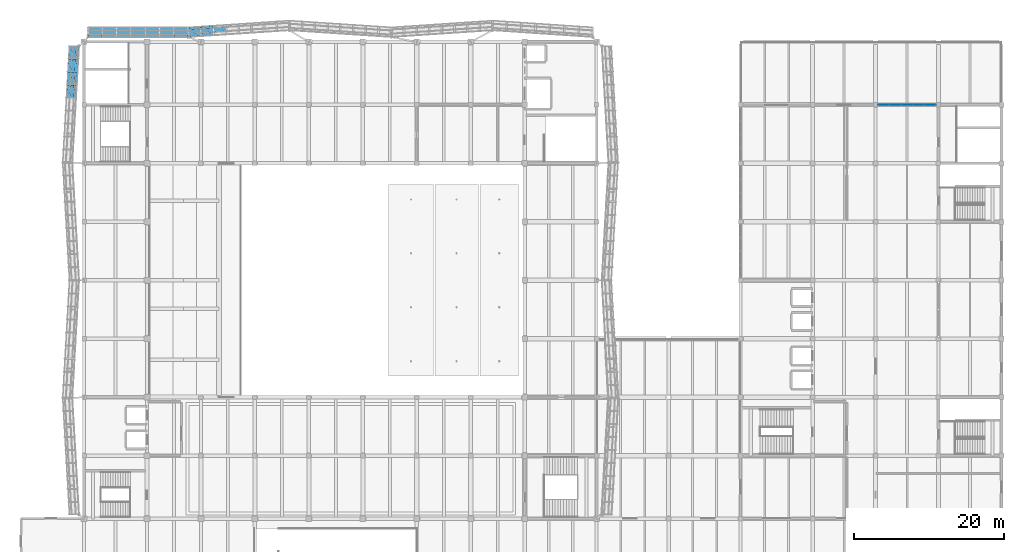
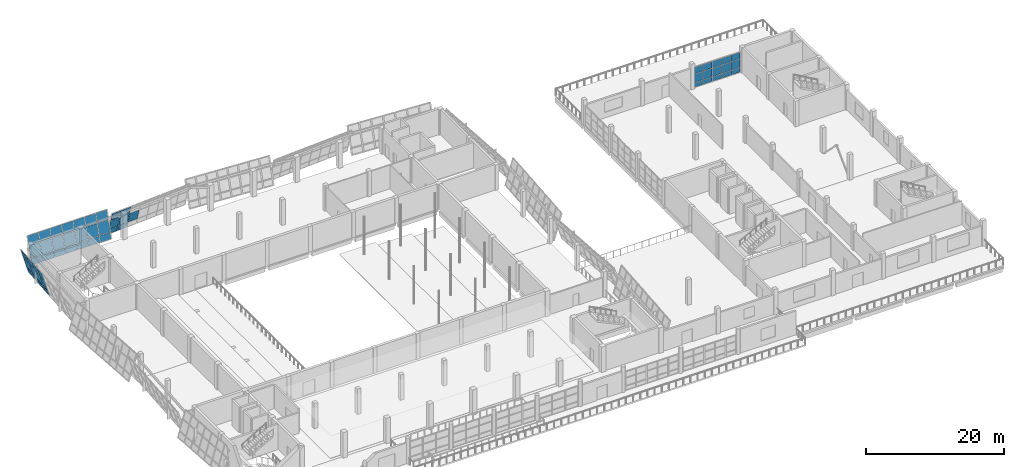
# One storey, part 44 of 71: 55 plates, 4 elements without a shape of their own.
"""IFC4 building model written with IfcOpenShell, lengths in metres."""

from ifc_helpers import new_model, si_unit, direction, frame, origin, place, context, subcontext, project, spatial, polyline, outline, extrude, material, layer, layer_set, type_object, element, aggregate, save


model = new_model("IFC4")

# Units and contexts
model_context = context("Model", 3, precision=1e-05, world=origin(), true_north=direction((0.0, 1.0)))
body_context = subcontext(model_context, "Body", "Model", "MODEL_VIEW")
ifc_project = project(units=[si_unit("LENGTHUNIT", "METRE"), si_unit("AREAUNIT", "SQUARE_METRE"), si_unit("VOLUMEUNIT", "CUBIC_METRE"), si_unit("PLANEANGLEUNIT", "RADIAN"), si_unit("MASSUNIT", "GRAM", prefix="KILO")], contexts=[model_context])

# Site, building, storey
site_placement = place(None, origin())
site = spatial("IfcSite", under=ifc_project, at=site_placement, CompositionType="ELEMENT")
building_placement = place(site_placement, origin())
building = spatial("IfcBuilding", under=site, at=building_placement, Name="Pellamere Symphony Hall", CompositionType="ELEMENT")
storey_placement = place(building_placement, frame((0.0, 0.0, 15.0)))
storey = spatial("IfcBuildingStorey", under=building, at=storey_placement, Name="L03", CompositionType="ELEMENT", Elevation=15.0)

# Curtain wall, plates
ifc_material_1 = material(Name="Thermally Broken Anodised Aluminium 6063-T6 Curtain Wall", Category="aluminium")
curtain_wall_type_1 = type_object("IfcCurtainWallType", Name="Curtain Wall CW-05 (Artists Wing North Studio Ribbon Curtain Wall)", PredefinedType="NOTDEFINED", material=ifc_material_1)
curtain_wall_1_placement = place(storey_placement, origin())
curtain_wall_1 = element("IfcCurtainWall", 1, at=curtain_wall_1_placement, inside=storey, type_object=curtain_wall_type_1, Name="Artists Wing North Studio Curtain Wall (L03 Bay 2)", PredefinedType="NOTDEFINED")
ifc_material_2 = material(Name="Triple Low-E Argon Acoustic Glazing 36mm", Category="glass")
ifc_layer_1 = layer(ifc_material_2, 0.035888671875, Name="Triple Low-E Argon Acoustic Glazing 36mm")
ifc_layer_set_1 = layer_set([ifc_layer_1], Name="Triple Low-E Argon Acoustic Glazing 36mm")
plate_type_1 = type_object("IfcPlateType", Name="Facade Panel GL-01 36mm", PredefinedType="CURTAIN_PANEL", material=ifc_layer_set_1)
plate_1_placement = place(storey_placement, frame((156.360107421875, 85.199951171875, 0.06005859375), z_axis=(0.0, -1.0, 0.0), x_axis=(1.0, 0.0, 0.0)))
plate_1 = element("IfcPlate", 2, at=plate_1_placement, type_object=plate_type_1, Name="CW5-141 crystal glass panel 1.1", PredefinedType="CURTAIN_PANEL", context=body_context, shape_type="SweptSolid", body=[
    extrude(outline(polyline([(0.0, 0.0), (1.469970703125, 0.0), (1.469970703125, 0.783447265625), (0.0, 0.783447265625), (0.0, 0.0)])), origin(), (0.0, 0.0, -1.0), 0.035888671875),
])
plate_2_placement = place(storey_placement, frame((156.360107421875, 85.199951171875, 0.903564453125), z_axis=(0.0, -1.0, 0.0), x_axis=(1.0, 0.0, 0.0)))
plate_2 = element("IfcPlate", 3, at=plate_2_placement, type_object=plate_type_1, Name="CW5-141 crystal glass panel 1.2", PredefinedType="CURTAIN_PANEL", context=body_context, shape_type="SweptSolid", body=[
    extrude(outline(polyline([(0.0, 0.0), (1.469970703125, 0.0), (1.469970703125, 1.46875), (0.0, 1.46875), (0.0, 0.0)])), origin(), (0.0, 0.0, -1.0), 0.035888671875),
])
plate_3_placement = place(storey_placement, frame((156.360107421875, 85.199951171875, 2.432373046875), z_axis=(0.0, -1.0, 0.0), x_axis=(1.0, 0.0, 0.0)))
plate_3 = element("IfcPlate", 4, at=plate_3_placement, type_object=plate_type_1, Name="CW5-141 crystal glass panel 1.3", PredefinedType="CURTAIN_PANEL", context=body_context, shape_type="SweptSolid", body=[
    extrude(outline(polyline([(0.0, 0.0), (1.469970703125, 0.0), (1.469970703125, 1.147705078125), (0.0, 1.147705078125), (0.0, 0.0)])), origin(), (0.0, 0.0, -1.0), 0.035888671875),
])
plate_4_placement = place(storey_placement, frame((157.889892578125, 85.199951171875, 0.06005859375), z_axis=(0.0, -1.0, 0.0), x_axis=(1.0, 0.0, 0.0)))
plate_4 = element("IfcPlate", 5, at=plate_4_placement, type_object=plate_type_1, Name="CW5-141 crystal glass panel 2.1", PredefinedType="CURTAIN_PANEL", context=body_context, shape_type="SweptSolid", body=[
    extrude(outline(polyline([(0.0, 0.0), (1.5, 0.0), (1.5, 0.783447265625), (0.0, 0.783447265625), (0.0, 0.0)])), origin(), (0.0, 0.0, -1.0), 0.035888671875),
])
plate_5_placement = place(storey_placement, frame((157.889892578125, 85.199951171875, 0.903564453125), z_axis=(0.0, -1.0, 0.0), x_axis=(1.0, 0.0, 0.0)))
plate_5 = element("IfcPlate", 6, at=plate_5_placement, type_object=plate_type_1, Name="CW5-141 crystal glass panel 2.2", PredefinedType="CURTAIN_PANEL", context=body_context, shape_type="SweptSolid", body=[
    extrude(outline(polyline([(0.0, 0.0), (1.5, 0.0), (1.5, 1.46875), (0.0, 1.46875), (0.0, 0.0)])), origin(), (0.0, 0.0, -1.0), 0.035888671875),
])
plate_6_placement = place(storey_placement, frame((157.889892578125, 85.199951171875, 2.432373046875), z_axis=(0.0, -1.0, 0.0), x_axis=(1.0, 0.0, 0.0)))
plate_6 = element("IfcPlate", 7, at=plate_6_placement, type_object=plate_type_1, Name="CW5-141 crystal glass panel 2.3", PredefinedType="CURTAIN_PANEL", context=body_context, shape_type="SweptSolid", body=[
    extrude(outline(polyline([(0.0, 0.0), (1.5, 0.0), (1.5, 1.147705078125), (0.0, 1.147705078125), (0.0, 0.0)])), origin(), (0.0, 0.0, -1.0), 0.035888671875),
])
plate_7_placement = place(storey_placement, frame((159.449951171875, 85.199951171875, 0.06005859375), z_axis=(0.0, -1.0, 0.0), x_axis=(1.0, 0.0, 0.0)))
plate_7 = element("IfcPlate", 8, at=plate_7_placement, type_object=plate_type_1, Name="CW5-141 crystal glass panel 3.1", PredefinedType="CURTAIN_PANEL", context=body_context, shape_type="SweptSolid", body=[
    extrude(outline(polyline([(0.0, 0.0), (1.5, 0.0), (1.5, 0.783447265625), (0.0, 0.783447265625), (0.0, 0.0)])), origin(), (0.0, 0.0, -1.0), 0.035888671875),
])
plate_8_placement = place(storey_placement, frame((159.449951171875, 85.199951171875, 0.903564453125), z_axis=(0.0, -1.0, 0.0), x_axis=(1.0, 0.0, 0.0)))
plate_8 = element("IfcPlate", 9, at=plate_8_placement, type_object=plate_type_1, Name="CW5-141 crystal glass panel 3.2", PredefinedType="CURTAIN_PANEL", context=body_context, shape_type="SweptSolid", body=[
    extrude(outline(polyline([(0.0, 0.0), (1.5, 0.0), (1.5, 1.46875), (0.0, 1.46875), (0.0, 0.0)])), origin(), (0.0, 0.0, -1.0), 0.035888671875),
])
plate_9_placement = place(storey_placement, frame((159.449951171875, 85.199951171875, 2.432373046875), z_axis=(0.0, -1.0, 0.0), x_axis=(1.0, 0.0, 0.0)))
plate_9 = element("IfcPlate", 10, at=plate_9_placement, type_object=plate_type_1, Name="CW5-141 crystal glass panel 3.3", PredefinedType="CURTAIN_PANEL", context=body_context, shape_type="SweptSolid", body=[
    extrude(outline(polyline([(0.0, 0.0), (1.5, 0.0), (1.5, 1.147705078125), (0.0, 1.147705078125), (0.0, 0.0)])), origin(), (0.0, 0.0, -1.0), 0.035888671875),
])
plate_10_placement = place(storey_placement, frame((161.010009765625, 85.199951171875, 0.06005859375), z_axis=(0.0, -1.0, 0.0), x_axis=(1.0, 0.0, 0.0)))
plate_10 = element("IfcPlate", 11, at=plate_10_placement, type_object=plate_type_1, Name="CW5-141 crystal glass panel 4.1", PredefinedType="CURTAIN_PANEL", context=body_context, shape_type="SweptSolid", body=[
    extrude(outline(polyline([(0.0, 0.0), (1.5, 0.0), (1.5, 0.783447265625), (0.0, 0.783447265625), (0.0, 0.0)])), origin(), (0.0, 0.0, -1.0), 0.035888671875),
])
plate_11_placement = place(storey_placement, frame((161.010009765625, 85.199951171875, 0.903564453125), z_axis=(0.0, -1.0, 0.0), x_axis=(1.0, 0.0, 0.0)))
plate_11 = element("IfcPlate", 12, at=plate_11_placement, type_object=plate_type_1, Name="CW5-141 crystal glass panel 4.2", PredefinedType="CURTAIN_PANEL", context=body_context, shape_type="SweptSolid", body=[
    extrude(outline(polyline([(0.0, 0.0), (1.5, 0.0), (1.5, 1.46875), (0.0, 1.46875), (0.0, 0.0)])), origin(), (0.0, 0.0, -1.0), 0.035888671875),
])
plate_12_placement = place(storey_placement, frame((161.010009765625, 85.199951171875, 2.432373046875), z_axis=(0.0, -1.0, 0.0), x_axis=(1.0, 0.0, 0.0)))
plate_12 = element("IfcPlate", 13, at=plate_12_placement, type_object=plate_type_1, Name="CW5-141 crystal glass panel 4.3", PredefinedType="CURTAIN_PANEL", context=body_context, shape_type="SweptSolid", body=[
    extrude(outline(polyline([(0.0, 0.0), (1.5, 0.0), (1.5, 1.147705078125), (0.0, 1.147705078125), (0.0, 0.0)])), origin(), (0.0, 0.0, -1.0), 0.035888671875),
])
plate_13_placement = place(storey_placement, frame((162.570068359375, 85.199951171875, 0.06005859375), z_axis=(0.0, -1.0, 0.0), x_axis=(1.0, 0.0, 0.0)))
plate_13 = element("IfcPlate", 14, at=plate_13_placement, type_object=plate_type_1, Name="CW5-141 crystal glass panel 5.1", PredefinedType="CURTAIN_PANEL", context=body_context, shape_type="SweptSolid", body=[
    extrude(outline(polyline([(0.0, 0.0), (1.469970703125, 0.0), (1.469970703125, 0.783447265625), (0.0, 0.783447265625), (0.0, 0.0)])), origin(), (0.0, 0.0, -1.0), 0.035888671875),
])
plate_14_placement = place(storey_placement, frame((162.570068359375, 85.199951171875, 0.903564453125), z_axis=(0.0, -1.0, 0.0), x_axis=(1.0, 0.0, 0.0)))
plate_14 = element("IfcPlate", 15, at=plate_14_placement, type_object=plate_type_1, Name="CW5-141 crystal glass panel 5.2", PredefinedType="CURTAIN_PANEL", context=body_context, shape_type="SweptSolid", body=[
    extrude(outline(polyline([(0.0, 0.0), (1.469970703125, 0.0), (1.469970703125, 1.46875), (0.0, 1.46875), (0.0, 0.0)])), origin(), (0.0, 0.0, -1.0), 0.035888671875),
])
plate_15_placement = place(storey_placement, frame((162.570068359375, 85.199951171875, 2.432373046875), z_axis=(0.0, -1.0, 0.0), x_axis=(1.0, 0.0, 0.0)))
plate_15 = element("IfcPlate", 16, at=plate_15_placement, type_object=plate_type_1, Name="CW5-141 crystal glass panel 5.3", PredefinedType="CURTAIN_PANEL", context=body_context, shape_type="SweptSolid", body=[
    extrude(outline(polyline([(0.0, 0.0), (1.469970703125, 0.0), (1.469970703125, 1.147705078125), (0.0, 1.147705078125), (0.0, 0.0)])), origin(), (0.0, 0.0, -1.0), 0.035888671875),
])
aggregate(curtain_wall_1, [plate_1, plate_2, plate_3, plate_4, plate_5, plate_6, plate_7, plate_8, plate_9, plate_10, plate_11, plate_12, plate_13, plate_14, plate_15])

curtain_wall_type_2 = type_object("IfcCurtainWallType", Name="Curtain Wall CW-01 (Tilted Faceted Crystal Low-Iron Curtain Wall)", PredefinedType="NOTDEFINED", material=ifc_material_1)
curtain_wall_2_placement = place(storey_placement, origin())
curtain_wall_2 = element("IfcCurtainWall", 17, at=curtain_wall_2_placement, inside=storey, type_object=curtain_wall_type_2, Name="Crystal Faceted Curtain Wall CW-CR13 (L03)", PredefinedType="NOTDEFINED")
ifc_material_3 = material(Name="Triple Laminated Acoustic Crystal Glazing 42mm", Category="glass")
ifc_layer_2 = layer(ifc_material_3, 0.0419921875, Name="Triple Laminated Acoustic Crystal Glazing 42mm")
ifc_layer_set_2 = layer_set([ifc_layer_2], Name="Triple Laminated Acoustic Crystal Glazing 42mm")
plate_type_2 = type_object("IfcPlateType", Name="Facade Panel GL-02 42mm", PredefinedType="CURTAIN_PANEL", material=ifc_layer_set_2)
plate_16_placement = place(storey_placement, frame((69.3251953125, 95.58740234375, 1.115966796875), z_axis=(-0.063733193807, 0.956866996113, 0.283449522415), x_axis=(-0.997789166031, -0.066458860589, 0.0)))
plate_16 = element("IfcPlate", 18, at=plate_16_placement, type_object=plate_type_2, Name="CW1-032 crystal glass panel 6.2", PredefinedType="CURTAIN_PANEL", context=body_context, shape_type="SweptSolid", body=[
    extrude(outline(polyline([(0.0, 0.0), (1.616366486684859, 0.0), (1.6521595156058213, 1.8958702628738333), (0.035793028920962165, 1.8958702628738333), (0.0, 0.0)])), origin(), (0.0, 0.0, -1.0), 0.0419921875),
])
plate_17_placement = place(storey_placement, frame((67.6376953125, 95.7841796875, 0.072021484375), z_axis=(-0.063804359707, 0.956848127642, 0.283497203354), x_axis=(-0.997784557971, -0.06652800504, -2.0486228e-05)))
plate_17 = element("IfcPlate", 19, at=plate_17_placement, type_object=plate_type_2, Name="CW1-032 crystal glass panel 7.1", PredefinedType="CURTAIN_PANEL", context=body_context, shape_type="SweptSolid", body=[
    extrude(outline(polyline([(0.0, 0.0), (1.6163664824646273, 3.469446951953614e-18), (1.6355123541131644, 1.013539765879141), (0.019129629459806567, 1.0134707057134071), (0.0, 0.0)])), origin(), (0.0, 0.0, -1.0), 0.0419921875),
])
plate_18_placement = place(storey_placement, frame((67.6376953125, 95.474853515625, 1.115966796875), z_axis=(-0.063733193807, 0.956866996113, 0.283449522415), x_axis=(-0.997789166031, -0.066458860589, 0.0)))
plate_18 = element("IfcPlate", 20, at=plate_18_placement, type_object=plate_type_2, Name="CW1-032 crystal glass panel 7.2", PredefinedType="CURTAIN_PANEL", context=body_context, shape_type="SweptSolid", body=[
    extrude(outline(polyline([(0.0, 0.0), (1.616366486684859, 0.0), (1.6521595156058213, 1.8958702628738333), (0.035793028920962165, 1.8958702628738333), (0.0, 0.0)])), origin(), (0.0, 0.0, -1.0), 0.0419921875),
])
plate_19_placement = place(storey_placement, frame((67.6376953125, 94.9150390625, 3.005859375), z_axis=(-0.063805383649, 0.956863483281, 0.283445139983), x_axis=(-0.997784557823, -0.06652800726, -2.0482795e-05)))
plate_19 = element("IfcPlate", 21, at=plate_19_placement, type_object=plate_type_2, Name="CW1-032 crystal glass panel 7.3", PredefinedType="CURTAIN_PANEL", context=body_context, shape_type="SweptSolid", body=[
    extrude(outline(polyline([(0.0, 0.0), (1.6163664824644917, 0.0), (1.6443713721739868, 1.4829717898125772), (0.027988647520222894, 1.482902742329526), (0.0, 0.0)])), origin(), (0.0, 0.0, -1.0), 0.0419921875),
])
plate_20_placement = place(storey_placement, frame((65.9501953125, 95.671630859375, 0.072021484375), z_axis=(-0.063762570737, 0.956883416201, 0.283387477443), x_axis=(-0.99778720991, -0.066488222573, 0.0)))
plate_20 = element("IfcPlate", 22, at=plate_20_placement, type_object=plate_type_2, Name="CW1-032 crystal glass panel 8.1", PredefinedType="CURTAIN_PANEL", context=body_context, shape_type="SweptSolid", body=[
    extrude(outline(polyline([(0.0, 0.0), (1.578933301087088, 0.0), (1.598071390543416, 1.0134705527233365), (0.01913808945632789, 1.0134705527233365), (0.0, 0.0)])), origin(), (0.0, 0.0, -1.0), 0.0419921875),
])
plate_21_placement = place(storey_placement, frame((65.9501953125, 95.362548828125, 1.115966796875), z_axis=(-0.063909038912, 0.95685621369, 0.283446328374), x_axis=(-0.997776940229, -0.066642160428, 0.0)))
plate_21 = element("IfcPlate", 23, at=plate_21_placement, type_object=plate_type_2, Name="CW1-032 crystal glass panel 8.2", PredefinedType="CURTAIN_PANEL", context=body_context, shape_type="SweptSolid", body=[
    extrude(outline(polyline([(0.0, 0.0), (1.5789495523546406, -3.469446951953614e-18), (1.6148413018427117, 1.8958683965105065), (0.035891749488070966, 1.8958683965105065), (0.0, 0.0)])), origin(), (0.0, 0.0, -1.0), 0.0419921875),
])
plate_22_placement = place(storey_placement, frame((65.9501953125, 94.802490234375, 3.005859375), z_axis=(-0.063762906258, 0.95688845135, 0.283370399756), x_axis=(-0.99778720991, -0.066488222573, 0.0)))
plate_22 = element("IfcPlate", 24, at=plate_22_placement, type_object=plate_type_2, Name="CW1-032 crystal glass panel 8.3", PredefinedType="CURTAIN_PANEL", context=body_context, shape_type="SweptSolid", body=[
    extrude(outline(polyline([(0.0, 0.0), (1.578933301087088, 0.0), (1.6069343225562702, 1.4829025133293297), (0.028001021469182028, 1.4829025133293297), (0.0, 0.0)])), origin(), (0.0, 0.0, -1.0), 0.0419921875),
])
aggregate(curtain_wall_2, [plate_16, plate_17, plate_18, plate_19, plate_20, plate_21, plate_22])

curtain_wall_3_placement = place(storey_placement, origin())
curtain_wall_3 = element("IfcCurtainWall", 25, at=curtain_wall_3_placement, inside=storey, type_object=curtain_wall_type_2, Name="Crystal Faceted Curtain Wall CW-CR14 (L03)", PredefinedType="NOTDEFINED")
plate_23_placement = place(storey_placement, frame((64.22509765625, 94.271240234375, 0.072021484375), z_axis=(0.0, -0.958768952204, 0.284186727857), x_axis=(-1.0, 0.0, 0.0)))
plate_23 = element("IfcPlate", 26, at=plate_23_placement, type_object=plate_type_2, Name="CW1-035 crystal glass panel 1.1", PredefinedType="CURTAIN_PANEL", context=body_context, shape_type="SweptSolid", body=[
    extrude(outline(polyline([(0.0, 0.0), (1.802001953125, 0.0), (1.802001953125, -1.0137205902330328), (0.0, -1.0137205902330328), (0.0, 0.0)])), origin(), (0.0, 0.0, -1.0), 0.0419921875),
])
plate_24_placement = place(storey_placement, frame((64.22509765625, 94.58056640625, 1.115966796875), z_axis=(0.0, -0.95881629514, 0.284026956772), x_axis=(-1.0, 0.0, 0.0)))
plate_24 = element("IfcPlate", 27, at=plate_24_placement, type_object=plate_type_2, Name="CW1-035 crystal glass panel 1.2", PredefinedType="CURTAIN_PANEL", context=body_context, shape_type="SweptSolid", body=[
    extrude(outline(polyline([(0.0, 0.0), (1.802001953125, 0.0), (1.802001953125, -1.8962081095092473), (0.0, -1.8962081095092473), (0.0, 0.0)])), origin(), (0.0, 0.0, -1.0), 0.0419921875),
])
plate_25_placement = place(storey_placement, frame((64.22509765625, 95.140380859375, 3.005859375), z_axis=(0.0, -0.958794791584, 0.284099538245), x_axis=(-1.0, 0.0, 0.0)))
plate_25 = element("IfcPlate", 28, at=plate_25_placement, type_object=plate_type_2, Name="CW1-035 crystal glass panel 1.3", PredefinedType="CURTAIN_PANEL", context=body_context, shape_type="SweptSolid", body=[
    extrude(outline(polyline([(0.0, 0.0), (1.802001953125, 0.0), (1.802001953125, -1.4832361972628905), (0.0, -1.4832361972628905), (0.0, 0.0)])), origin(), (0.0, 0.0, -1.0), 0.0419921875),
])
plate_26_placement = place(storey_placement, frame((62.34814453125, 94.271240234375, 0.072021484375), z_axis=(0.0, -0.958768952204, 0.284186727857), x_axis=(-1.0, 0.0, 0.0)))
plate_26 = element("IfcPlate", 29, at=plate_26_placement, type_object=plate_type_2, Name="CW1-035 crystal glass panel 2.1", PredefinedType="CURTAIN_PANEL", context=body_context, shape_type="SweptSolid", body=[
    extrude(outline(polyline([(0.0, 0.0), (1.839111328125, 0.0), (1.839111328125, -1.0137205902330328), (0.0, -1.0137205902330328), (0.0, 0.0)])), origin(), (0.0, 0.0, -1.0), 0.0419921875),
])
plate_27_placement = place(storey_placement, frame((62.34814453125, 94.58056640625, 1.115966796875), z_axis=(0.0, -0.95881629514, 0.284026956772), x_axis=(-1.0, 0.0, 0.0)))
plate_27 = element("IfcPlate", 30, at=plate_27_placement, type_object=plate_type_2, Name="CW1-035 crystal glass panel 2.2", PredefinedType="CURTAIN_PANEL", context=body_context, shape_type="SweptSolid", body=[
    extrude(outline(polyline([(0.0, 0.0), (1.839111328125, 0.0), (1.839111328125, -1.8962081095092476), (0.0, -1.8962081095092476), (0.0, 0.0)])), origin(), (0.0, 0.0, -1.0), 0.0419921875),
])
plate_28_placement = place(storey_placement, frame((62.34814453125, 95.140380859375, 3.005859375), z_axis=(0.0, -0.958794791584, 0.284099538245), x_axis=(-1.0, 0.0, 0.0)))
plate_28 = element("IfcPlate", 31, at=plate_28_placement, type_object=plate_type_2, Name="CW1-035 crystal glass panel 2.3", PredefinedType="CURTAIN_PANEL", context=body_context, shape_type="SweptSolid", body=[
    extrude(outline(polyline([(0.0, 0.0), (1.839111328125, 0.0), (1.839111328125, -1.4832361972628905), (0.0, -1.4832361972628905), (0.0, 0.0)])), origin(), (0.0, 0.0, -1.0), 0.0419921875),
])
plate_29_placement = place(storey_placement, frame((60.433837890625, 94.271240234375, 0.072021484375), z_axis=(0.0, -0.958768952204, 0.284186727857), x_axis=(-1.0, 0.0, 0.0)))
plate_29 = element("IfcPlate", 32, at=plate_29_placement, type_object=plate_type_2, Name="CW1-035 crystal glass panel 3.1", PredefinedType="CURTAIN_PANEL", context=body_context, shape_type="SweptSolid", body=[
    extrude(outline(polyline([(0.0, 0.0), (1.839111328125, 0.0), (1.839111328125, -1.0137205902330328), (0.0, -1.0137205902330328), (0.0, 0.0)])), origin(), (0.0, 0.0, -1.0), 0.0419921875),
])
plate_30_placement = place(storey_placement, frame((60.433837890625, 94.58056640625, 1.115966796875), z_axis=(0.0, -0.95881629514, 0.284026956772), x_axis=(-1.0, 0.0, 0.0)))
plate_30 = element("IfcPlate", 33, at=plate_30_placement, type_object=plate_type_2, Name="CW1-035 crystal glass panel 3.2", PredefinedType="CURTAIN_PANEL", context=body_context, shape_type="SweptSolid", body=[
    extrude(outline(polyline([(0.0, 0.0), (1.839111328125, 0.0), (1.839111328125, -1.8962081095092476), (0.0, -1.8962081095092476), (0.0, 0.0)])), origin(), (0.0, 0.0, -1.0), 0.0419921875),
])
plate_31_placement = place(storey_placement, frame((60.433837890625, 95.140380859375, 3.005859375), z_axis=(0.0, -0.958794791584, 0.284099538245), x_axis=(-1.0, 0.0, 0.0)))
plate_31 = element("IfcPlate", 34, at=plate_31_placement, type_object=plate_type_2, Name="CW1-035 crystal glass panel 3.3", PredefinedType="CURTAIN_PANEL", context=body_context, shape_type="SweptSolid", body=[
    extrude(outline(polyline([(0.0, 0.0), (1.839111328125, 0.0), (1.839111328125, -1.4832361972628905), (0.0, -1.4832361972628905), (0.0, 0.0)])), origin(), (0.0, 0.0, -1.0), 0.0419921875),
])
plate_32_placement = place(storey_placement, frame((58.51953125, 94.271240234375, 0.072021484375), z_axis=(0.0, -0.958768952204, 0.284186727857), x_axis=(-1.0, 0.0, 0.0)))
plate_32 = element("IfcPlate", 35, at=plate_32_placement, type_object=plate_type_2, Name="CW1-035 crystal glass panel 4.1", PredefinedType="CURTAIN_PANEL", context=body_context, shape_type="SweptSolid", body=[
    extrude(outline(polyline([(0.0, 0.0), (1.839111328125, 0.0), (1.839111328125, -1.0137205902330328), (0.0, -1.0137205902330328), (0.0, 0.0)])), origin(), (0.0, 0.0, -1.0), 0.0419921875),
])
plate_33_placement = place(storey_placement, frame((58.51953125, 94.58056640625, 1.115966796875), z_axis=(0.0, -0.95881629514, 0.284026956772), x_axis=(-1.0, 0.0, 0.0)))
plate_33 = element("IfcPlate", 36, at=plate_33_placement, type_object=plate_type_2, Name="CW1-035 crystal glass panel 4.2", PredefinedType="CURTAIN_PANEL", context=body_context, shape_type="SweptSolid", body=[
    extrude(outline(polyline([(0.0, 0.0), (1.839111328125, 0.0), (1.839111328125, -1.8962081095092476), (0.0, -1.8962081095092476), (0.0, 0.0)])), origin(), (0.0, 0.0, -1.0), 0.0419921875),
])
plate_34_placement = place(storey_placement, frame((58.51953125, 95.140380859375, 3.005859375), z_axis=(0.0, -0.958794791584, 0.284099538245), x_axis=(-1.0, 0.0, 0.0)))
plate_34 = element("IfcPlate", 37, at=plate_34_placement, type_object=plate_type_2, Name="CW1-035 crystal glass panel 4.3", PredefinedType="CURTAIN_PANEL", context=body_context, shape_type="SweptSolid", body=[
    extrude(outline(polyline([(0.0, 0.0), (1.839111328125, 0.0), (1.839111328125, -1.4832361972628905), (0.0, -1.4832361972628905), (0.0, 0.0)])), origin(), (0.0, 0.0, -1.0), 0.0419921875),
])
plate_35_placement = place(storey_placement, frame((56.60546875, 94.271240234375, 0.072021484375), z_axis=(0.0, -0.958768952204, 0.284186727857), x_axis=(-1.0, 0.0, 0.0)))
plate_35 = element("IfcPlate", 38, at=plate_35_placement, type_object=plate_type_2, Name="CW1-035 crystal glass panel 5.1", PredefinedType="CURTAIN_PANEL", context=body_context, shape_type="SweptSolid", body=[
    extrude(outline(polyline([(0.0, 0.0), (1.83935546875, 0.0), (1.83935546875, -1.0137205902330328), (0.0, -1.0137205902330328), (0.0, 0.0)])), origin(), (0.0, 0.0, -1.0), 0.0419921875),
])
plate_36_placement = place(storey_placement, frame((56.60546875, 94.58056640625, 1.115966796875), z_axis=(0.0, -0.95881629514, 0.284026956772), x_axis=(-1.0, 0.0, 0.0)))
plate_36 = element("IfcPlate", 39, at=plate_36_placement, type_object=plate_type_2, Name="CW1-035 crystal glass panel 5.2", PredefinedType="CURTAIN_PANEL", context=body_context, shape_type="SweptSolid", body=[
    extrude(outline(polyline([(0.0, 0.0), (1.83935546875, 0.0), (1.83935546875, -1.8962081095092473), (0.0, -1.8962081095092473), (0.0, 0.0)])), origin(), (0.0, 0.0, -1.0), 0.0419921875),
])
plate_37_placement = place(storey_placement, frame((56.60546875, 95.140380859375, 3.005859375), z_axis=(0.0, -0.958794791584, 0.284099538245), x_axis=(-1.0, 0.0, 0.0)))
plate_37 = element("IfcPlate", 40, at=plate_37_placement, type_object=plate_type_2, Name="CW1-035 crystal glass panel 5.3", PredefinedType="CURTAIN_PANEL", context=body_context, shape_type="SweptSolid", body=[
    extrude(outline(polyline([(0.0, 0.0), (1.83935546875, 0.0), (1.83935546875, -1.4832361972628905), (0.0, -1.4832361972628905), (0.0, 0.0)])), origin(), (0.0, 0.0, -1.0), 0.0419921875),
])
plate_38_placement = place(storey_placement, frame((54.691162109375, 94.271240234375, 0.072021484375), z_axis=(0.0, -0.958768952204, 0.284186727857), x_axis=(-1.0, 0.0, 0.0)))
plate_38 = element("IfcPlate", 41, at=plate_38_placement, type_object=plate_type_2, Name="CW1-035 crystal glass panel 6.1", PredefinedType="CURTAIN_PANEL", context=body_context, shape_type="SweptSolid", body=[
    extrude(outline(polyline([(0.0, 0.0), (1.83935546875, 0.0), (1.83935546875, -1.0137205902330328), (0.0, -1.0137205902330328), (0.0, 0.0)])), origin(), (0.0, 0.0, -1.0), 0.0419921875),
])
plate_39_placement = place(storey_placement, frame((54.691162109375, 94.58056640625, 1.115966796875), z_axis=(0.0, -0.95881629514, 0.284026956772), x_axis=(-1.0, 0.0, 0.0)))
plate_39 = element("IfcPlate", 42, at=plate_39_placement, type_object=plate_type_2, Name="CW1-035 crystal glass panel 6.2", PredefinedType="CURTAIN_PANEL", context=body_context, shape_type="SweptSolid", body=[
    extrude(outline(polyline([(0.0, 0.0), (1.83935546875, 0.0), (1.83935546875, -1.8962081095092473), (0.0, -1.8962081095092473), (0.0, 0.0)])), origin(), (0.0, 0.0, -1.0), 0.0419921875),
])
plate_40_placement = place(storey_placement, frame((54.691162109375, 95.140380859375, 3.005859375), z_axis=(0.0, -0.958794791584, 0.284099538245), x_axis=(-1.0, 0.0, 0.0)))
plate_40 = element("IfcPlate", 43, at=plate_40_placement, type_object=plate_type_2, Name="CW1-035 crystal glass panel 6.3", PredefinedType="CURTAIN_PANEL", context=body_context, shape_type="SweptSolid", body=[
    extrude(outline(polyline([(0.0, 0.0), (1.83935546875, 0.0), (1.83935546875, -1.4832361972628905), (0.0, -1.4832361972628905), (0.0, 0.0)])), origin(), (0.0, 0.0, -1.0), 0.0419921875),
])
plate_41_placement = place(storey_placement, frame((52.77685546875, 94.271240234375, 0.072021484375), z_axis=(0.0, -0.958768952204, 0.284186727857), x_axis=(-1.0, 0.0, 0.0)))
plate_41 = element("IfcPlate", 44, at=plate_41_placement, type_object=plate_type_2, Name="CW1-035 crystal glass panel 7.1", PredefinedType="CURTAIN_PANEL", context=body_context, shape_type="SweptSolid", body=[
    extrude(outline(polyline([(0.0, 0.0), (1.8017578125, 0.0), (1.8017578125, -1.0137205902330328), (0.0, -1.0137205902330328), (0.0, 0.0)])), origin(), (0.0, 0.0, -1.0), 0.0419921875),
])
plate_42_placement = place(storey_placement, frame((52.77685546875, 94.58056640625, 1.115966796875), z_axis=(0.0, -0.95881629514, 0.284026956772), x_axis=(-1.0, 0.0, 0.0)))
plate_42 = element("IfcPlate", 45, at=plate_42_placement, type_object=plate_type_2, Name="CW1-035 crystal glass panel 7.2", PredefinedType="CURTAIN_PANEL", context=body_context, shape_type="SweptSolid", body=[
    extrude(outline(polyline([(0.0, 0.0), (1.8017578125, 0.0), (1.8017578125, -1.8962081095092473), (0.0, -1.8962081095092473), (0.0, 0.0)])), origin(), (0.0, 0.0, -1.0), 0.0419921875),
])
plate_43_placement = place(storey_placement, frame((52.77685546875, 95.140380859375, 3.005859375), z_axis=(0.0, -0.958794791584, 0.284099538245), x_axis=(-1.0, 0.0, 0.0)))
plate_43 = element("IfcPlate", 46, at=plate_43_placement, type_object=plate_type_2, Name="CW1-035 crystal glass panel 7.3", PredefinedType="CURTAIN_PANEL", context=body_context, shape_type="SweptSolid", body=[
    extrude(outline(polyline([(0.0, 0.0), (1.8017578125, 0.0), (1.8017578125, -1.4832361972628905), (0.0, -1.4832361972628905), (0.0, 0.0)])), origin(), (0.0, 0.0, -1.0), 0.0419921875),
])
aggregate(curtain_wall_3, [plate_23, plate_24, plate_25, plate_26, plate_27, plate_28, plate_29, plate_30, plate_31, plate_32, plate_33, plate_34, plate_35, plate_36, plate_37, plate_38, plate_39, plate_40, plate_41, plate_42, plate_43])

curtain_wall_4_placement = place(storey_placement, origin())
curtain_wall_4 = element("IfcCurtainWall", 47, at=curtain_wall_4_placement, inside=storey, type_object=curtain_wall_type_2, Name="Crystal Faceted Curtain Wall CW-CR15 (L03)", PredefinedType="NOTDEFINED")
plate_44_placement = place(storey_placement, frame((49.724365234375, 93.025146484375, 0.072021484375), z_axis=(0.957335015609, -0.05529186423, 0.283641459661), x_axis=(-0.057653906339, -0.998336629934, -2.0413352e-05)))
plate_44 = element("IfcPlate", 48, at=plate_44_placement, type_object=plate_type_2, Name="CW1-040 crystal glass panel 1.1", PredefinedType="CURTAIN_PANEL", context=body_context, shape_type="SweptSolid", body=[
    extrude(outline(polyline([(0.0, 0.0), (1.6237882492399522, 0.0), (1.6403776886752781, -1.013584832120558), (0.016575363774598662, -1.0135156986274818), (0.0, 0.0)])), origin(), (0.0, 0.0, -1.0), 0.0419921875),
])
plate_45_placement = place(storey_placement, frame((49.4150390625, 93.025146484375, 1.115966796875), z_axis=(0.957353300502, -0.055220830436, 0.283593578744), x_axis=(-0.057585007883, -0.99834060664, 0.0)))
plate_45 = element("IfcPlate", 49, at=plate_45_placement, type_object=plate_type_2, Name="CW1-040 crystal glass panel 1.2", PredefinedType="CURTAIN_PANEL", context=body_context, shape_type="SweptSolid", body=[
    extrude(outline(polyline([(0.0, 0.0), (1.6237882534451713, 3.469446951953614e-18), (1.654802054077483, -1.895954466420271), (0.031013800632311597, -1.895954466420271), (0.0, 0.0)])), origin(), (0.0, 0.0, -1.0), 0.0419921875),
])
plate_46_placement = place(storey_placement, frame((48.855224609375, 93.025146484375, 3.005859375), z_axis=(0.957376516406, -0.055222169546, 0.283514934043), x_axis=(-0.057585007883, -0.99834060664, 0.0)))
plate_46 = element("IfcPlate", 50, at=plate_46_placement, type_object=plate_type_2, Name="CW1-040 crystal glass panel 1.3", PredefinedType="CURTAIN_PANEL", context=body_context, shape_type="SweptSolid", body=[
    extrude(outline(polyline([(0.0, 0.0), (1.6237882534451713, 3.469446951953614e-18), (1.648039752126376, -1.482968572173219), (0.024251498681204672, -1.482968572173219), (0.0, 0.0)])), origin(), (0.0, 0.0, -1.0), 0.0419921875),
])
plate_47_placement = place(storey_placement, frame((49.62646484375, 91.329345703125, 0.072021484375), z_axis=(0.957370600532, -0.055238339036, 0.283531760369), x_axis=(-0.057602168051, -0.998339616682, 0.0)))
plate_47 = element("IfcPlate", 51, at=plate_47_placement, type_object=plate_type_2, Name="CW1-040 crystal glass panel 2.1", PredefinedType="CURTAIN_PANEL", context=body_context, shape_type="SweptSolid", body=[
    extrude(outline(polyline([(0.0, 0.0), (1.6614500501978287, -3.469446951953614e-18), (1.6780303617535524, -1.0135156244351138), (0.01658031155572367, -1.0135156244351138), (0.0, 0.0)])), origin(), (0.0, 0.0, -1.0), 0.0419921875),
])
plate_48_placement = place(storey_placement, frame((49.3173828125, 91.329345703125, 1.115966796875), z_axis=(0.957352427535, -0.055237290491, 0.283593320148), x_axis=(-0.057602168051, -0.998339616682, 0.0)))
plate_48 = element("IfcPlate", 52, at=plate_48_placement, type_object=plate_type_2, Name="CW1-040 crystal glass panel 2.2", PredefinedType="CURTAIN_PANEL", context=body_context, shape_type="SweptSolid", body=[
    extrude(outline(polyline([(0.0, 0.0), (1.6614500501978287, 3.469446951953614e-18), (1.6924730928542548, -1.8959543152177933), (0.031023042656426136, -1.8959543152177933), (0.0, 0.0)])), origin(), (0.0, 0.0, -1.0), 0.0419921875),
])
plate_49_placement = place(storey_placement, frame((48.75732421875, 91.329345703125, 3.005859375), z_axis=(0.957375643376, -0.055238629998, 0.283514675506), x_axis=(-0.057602168051, -0.998339616682, 0.0)))
plate_49 = element("IfcPlate", 53, at=plate_49_placement, type_object=plate_type_2, Name="CW1-040 crystal glass panel 2.3", PredefinedType="CURTAIN_PANEL", context=body_context, shape_type="SweptSolid", body=[
    extrude(outline(polyline([(0.0, 0.0), (1.6614500501978287, 3.469446951953614e-18), (1.6857087757564575, -1.4829684539719754), (0.02425872555862878, -1.4829684539719754), (0.0, 0.0)])), origin(), (0.0, 0.0, -1.0), 0.0419921875),
])
plate_50_placement = place(storey_placement, frame((49.526611328125, 89.595947265625, 0.072021484375), z_axis=(0.957304871124, -0.05524267768, 0.283752762604), x_axis=(-0.057610619545, -0.998339129012, 0.0)))
plate_50 = element("IfcPlate", 54, at=plate_50_placement, type_object=plate_type_2, Name="CW1-040 crystal glass panel 3.1", PredefinedType="CURTAIN_PANEL", context=body_context, shape_type="SweptSolid", body=[
    extrude(outline(polyline([(0.0, 0.0), (1.6612063149993754, 0.0), (1.677803124341095, -1.0135847182066644), (0.01659680934171927, -1.0135847182066644), (0.0, 0.0)])), origin(), (0.0, 0.0, -1.0), 0.0419921875),
])
plate_51_placement = place(storey_placement, frame((49.21728515625, 89.595947265625, 1.115966796875), z_axis=(0.957351997497, -0.055245397176, 0.283593192759), x_axis=(-0.057610619545, -0.998339129012, 0.0)))
plate_51 = element("IfcPlate", 55, at=plate_51_placement, type_object=plate_type_2, Name="CW1-040 crystal glass panel 3.2", PredefinedType="CURTAIN_PANEL", context=body_context, shape_type="SweptSolid", body=[
    extrude(outline(polyline([(0.0, 0.0), (1.6612063149993754, 3.469446951953614e-18), (1.6922339094127932, -1.8959542407330272), (0.031027594413417556, -1.8959542407330272), (0.0, 0.0)])), origin(), (0.0, 0.0, -1.0), 0.0419921875),
])
plate_52_placement = place(storey_placement, frame((48.657470703125, 89.595947265625, 3.005859375), z_axis=(0.957330592308, -0.055244161959, 0.283665682802), x_axis=(-0.057610619545, -0.998339129012, 0.0)))
plate_52 = element("IfcPlate", 56, at=plate_52_placement, type_object=plate_type_2, Name="CW1-040 crystal glass panel 3.3", PredefinedType="CURTAIN_PANEL", context=body_context, shape_type="SweptSolid", body=[
    extrude(outline(polyline([(0.0, 0.0), (1.6612063149993754, 0.0), (1.6854826649348056, -1.4830375166207674), (0.024276349935430055, -1.4830375166207674), (0.0, 0.0)])), origin(), (0.0, 0.0, -1.0), 0.0419921875),
])
plate_53_placement = place(storey_placement, frame((49.426513671875, 87.862548828125, 0.072021484375), z_axis=(0.95737017047, -0.055246445874, 0.283531633003), x_axis=(-0.057610619545, -0.998339129012, 0.0)))
plate_53 = element("IfcPlate", 57, at=plate_53_placement, type_object=plate_type_2, Name="CW1-040 crystal glass panel 4.1", PredefinedType="CURTAIN_PANEL", context=body_context, shape_type="SweptSolid", body=[
    extrude(outline(polyline([(0.0, 0.0), (1.6612063149993754, 3.469446951953614e-18), (1.6777890592484324, -1.0135155846352601), (0.0165827442490568, -1.0135155846352604), (0.0, 0.0)])), origin(), (0.0, 0.0, -1.0), 0.0419921875),
])
plate_54_placement = place(storey_placement, frame((49.1171875, 87.862548828125, 1.115966796875), z_axis=(0.957351997497, -0.055245397176, 0.283593192759), x_axis=(-0.057610619545, -0.998339129012, 0.0)))
plate_54 = element("IfcPlate", 58, at=plate_54_placement, type_object=plate_type_2, Name="CW1-040 crystal glass panel 4.2", PredefinedType="CURTAIN_PANEL", context=body_context, shape_type="SweptSolid", body=[
    extrude(outline(polyline([(0.0, 0.0), (1.6612063149993754, 3.469446951953614e-18), (1.6922339094127932, -1.8959542407330272), (0.031027594413417556, -1.8959542407330272), (0.0, 0.0)])), origin(), (0.0, 0.0, -1.0), 0.0419921875),
])
plate_55_placement = place(storey_placement, frame((48.557373046875, 87.862548828125, 3.005859375), z_axis=(0.957375213306, -0.055246736879, 0.283514548147), x_axis=(-0.057610619545, -0.998339129012, 0.0)))
plate_55 = element("IfcPlate", 59, at=plate_55_placement, type_object=plate_type_2, Name="CW1-040 crystal glass panel 4.3", PredefinedType="CURTAIN_PANEL", context=body_context, shape_type="SweptSolid", body=[
    extrude(outline(polyline([(0.0, 0.0), (1.6612063149993754, 6.938893903907228e-18), (1.685468599842143, -1.482968395744147), (0.02426228484276758, -1.482968395744147), (0.0, 0.0)])), origin(), (0.0, 0.0, -1.0), 0.0419921875),
])
aggregate(curtain_wall_4, [plate_44, plate_45, plate_46, plate_47, plate_48, plate_49, plate_50, plate_51, plate_52, plate_53, plate_54, plate_55])

save(model, "model.ifc")
